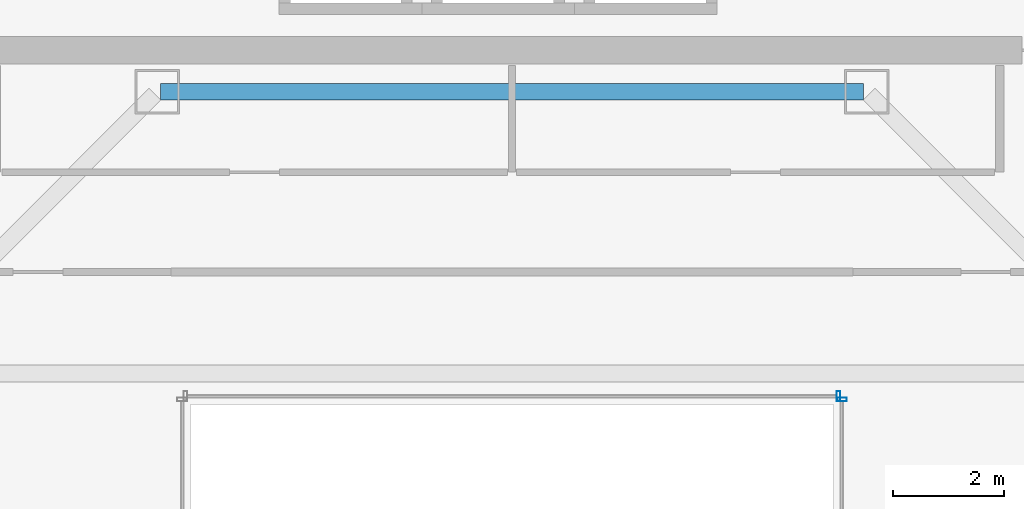
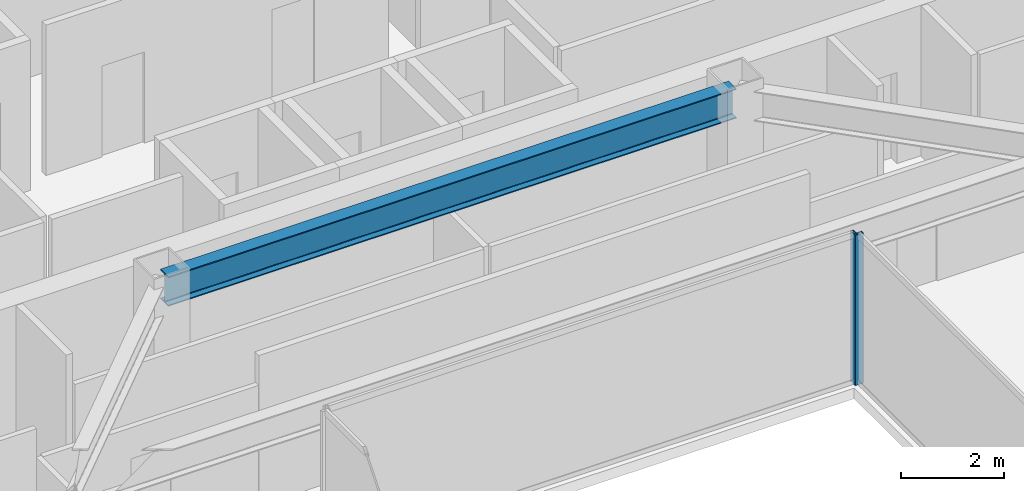
# One storey, part 15 of 36: 2 members, 1 beam, 2 elements without a shape of their own.
"""IFC4 building model written with IfcOpenShell, lengths in metres."""

from ifc_helpers import new_model, si_unit, direction, frame, origin, origin_2d, place, context, subcontext, project, spatial, hollow_rectangle, i_section, extrude, material, material_profile, profile_set, type_object, element, aggregate, save


model = new_model("IFC4")

# Units and contexts
model_context = context("Model", 3, precision=1e-05, world=origin(), true_north=direction((0.0, 1.0)))
body_context = subcontext(model_context, "Body", "Model", "MODEL_VIEW")
ifc_project = project(units=[si_unit("LENGTHUNIT", "METRE"), si_unit("AREAUNIT", "SQUARE_METRE"), si_unit("VOLUMEUNIT", "CUBIC_METRE"), si_unit("PLANEANGLEUNIT", "RADIAN"), si_unit("MASSUNIT", "GRAM", prefix="KILO")], contexts=[model_context])

# Site, building, storey
site_placement = place(None, origin())
site = spatial("IfcSite", under=ifc_project, at=site_placement, CompositionType="ELEMENT")
building_placement = place(site_placement, origin())
building = spatial("IfcBuilding", under=site, at=building_placement, Name="Saevonmaru Cultural Tower", CompositionType="ELEMENT")
storey_placement = place(building_placement, frame((0.0, 0.0, 182.800048828125)))
storey = spatial("IfcBuildingStorey", under=building, at=storey_placement, Name="L41", CompositionType="ELEMENT", Elevation=182.800048828125)

# Beam
ifc_material_1 = material(Name="Steel SM355", Category="steel")
ifc_material_profile_1 = material_profile(ifc_material_1, i_section(OverallWidth=0.300048828125, OverallDepth=0.699951171875, WebThickness=0.012939453125, FlangeThickness=0.02392578125, FilletRadius=0.02587890625, at=origin_2d()), Name="H-700x300x13x24")
ifc_profile_set_1 = profile_set([ifc_material_profile_1], Name="Steel SM355")
beam_type = type_object("IfcBeamType", Name="BM-G-H700", PredefinedType="BEAM", material=ifc_profile_set_1)
beam_placement = place(storey_placement, frame((23.659912109375, 42.39990234375, 3.199951171875), z_axis=(1.0, 0.0, 0.0), x_axis=(0.0, 1.0, 0.0)))
element("IfcBeam", 1, at=beam_placement, inside=storey, type_object=beam_type, Name="L41 Core South Girder 3", PredefinedType="BEAM", context=body_context, shape_type="SweptSolid", body=[
    extrude(i_section(OverallWidth=0.300048828125, OverallDepth=0.699951171875, WebThickness=0.012939453125, FlangeThickness=0.02392578125, FilletRadius=0.02587890625, at=origin_2d()), origin(), (0.0, 0.0, 1.0), 12.68017578125),
])

# Curtain wall, member
ifc_material_2 = material(Name="Satin Bronze Anodised Aluminium", Category="aluminium")
curtain_wall_type = type_object("IfcCurtainWallType", Name="CW-ATR-GLZ", PredefinedType="NOTDEFINED", material=ifc_material_2)
curtain_wall_1_placement = place(storey_placement, origin())
curtain_wall_1 = element("IfcCurtainWall", 2, at=curtain_wall_1_placement, inside=storey, type_object=curtain_wall_type, Name="L41 Vertical Atrium Glazed Smoke Screen 2", PredefinedType="NOTDEFINED")
ifc_material_profile_2 = material_profile(ifc_material_2, hollow_rectangle(XDim=0.06494140625, YDim=0.179931640625, WallThickness=0.00390625, at=origin_2d()), Name="ALU-MULL-180x65x4")
ifc_profile_set_2 = profile_set([ifc_material_profile_2], Name="Satin Bronze Anodised Aluminium")
member_type = type_object("IfcMemberType", Name="ML-CW-INT-180x65", PredefinedType="MULLION", material=ifc_profile_set_2)
member_1_placement = place(storey_placement, frame((35.949951171875, 36.85009765625, 0.0), z_axis=(0.0, 0.0, 1.0), x_axis=(0.0, 1.0, 0.0)))
member_1 = element("IfcMember", 3, at=member_1_placement, type_object=member_type, Name="CW-ATR-L41-2 mullion 2", PredefinedType="MULLION", context=body_context, shape_type="SweptSolid", body=[
    extrude(hollow_rectangle(XDim=0.06494140625, YDim=0.179931640625, WallThickness=0.00390625, at=origin_2d()), origin(), (0.0, 0.0, 1.0), 3.550048828125),
])
aggregate(curtain_wall_1, [member_1])

curtain_wall_2_placement = place(storey_placement, origin())
curtain_wall_2 = element("IfcCurtainWall", 4, at=curtain_wall_2_placement, inside=storey, type_object=curtain_wall_type, Name="L41 Vertical Atrium Glazed Smoke Screen 3", PredefinedType="NOTDEFINED")
member_2_placement = place(storey_placement, frame((35.889892578125, 36.909912109375, 0.0), z_axis=(0.0, 0.0, 1.0), x_axis=(-1.0, 0.0, 0.0)))
member_2 = element("IfcMember", 5, at=member_2_placement, type_object=member_type, Name="CW-ATR-L41-3 mullion 1", PredefinedType="MULLION", context=body_context, shape_type="SweptSolid", body=[
    extrude(hollow_rectangle(XDim=0.06494140625, YDim=0.179931640625, WallThickness=0.00390625, at=origin_2d()), origin(), (0.0, 0.0, 1.0), 3.550048828125),
])
aggregate(curtain_wall_2, [member_2])

save(model, "model.ifc")
